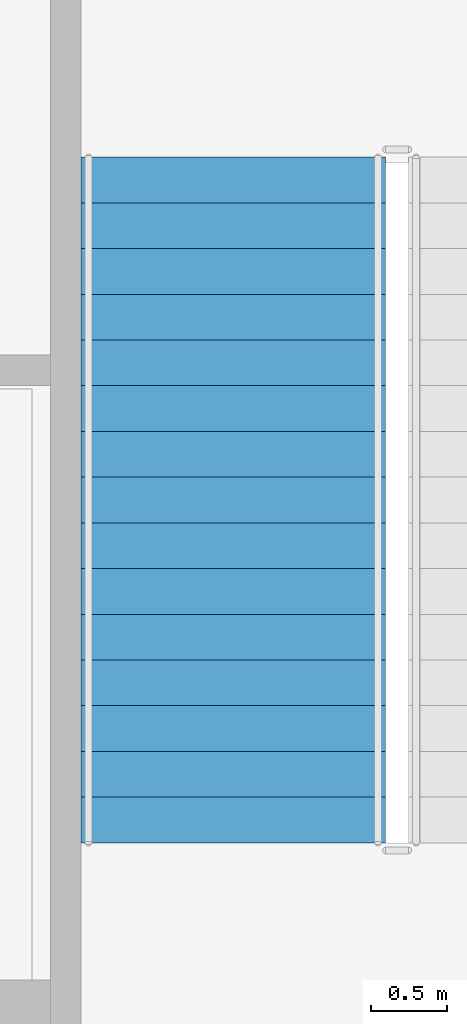
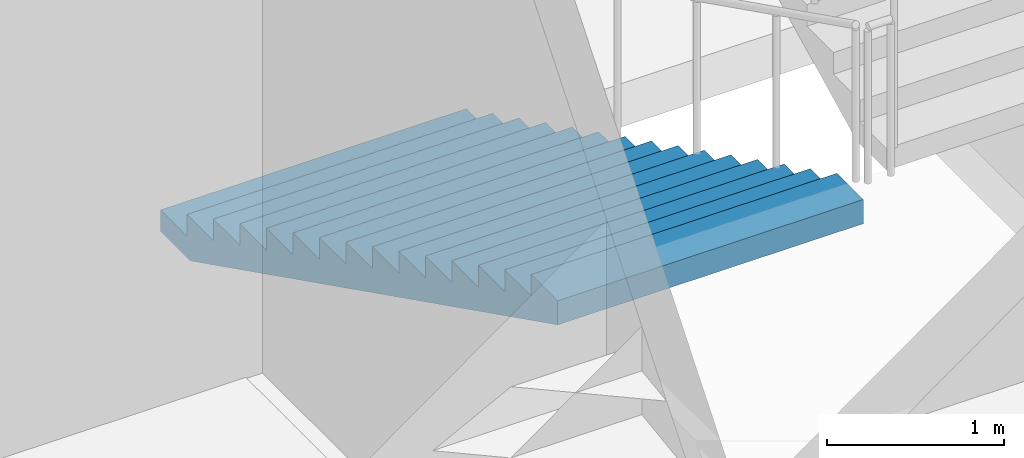
# One storey, part 62 of 86: 1 stair flight, 1 element without a shape of its own.
"""IFC4 building model written with IfcOpenShell, lengths in metres."""

from ifc_helpers import new_model, si_unit, direction, frame, origin, place, context, subcontext, project, spatial, faceted_brep, material, type_object, element, aggregate, save


model = new_model("IFC4")

# Units and contexts
model_context = context("Model", 3, precision=1e-05, world=origin(), true_north=direction((0.0, 1.0)))
body_context = subcontext(model_context, "Body", "Model", "MODEL_VIEW")
ifc_project = project(units=[si_unit("LENGTHUNIT", "METRE"), si_unit("AREAUNIT", "SQUARE_METRE"), si_unit("VOLUMEUNIT", "CUBIC_METRE"), si_unit("PLANEANGLEUNIT", "RADIAN"), si_unit("MASSUNIT", "GRAM", prefix="KILO")], contexts=[model_context])

# Site, building, storey
site_placement = place(None, origin())
site = spatial("IfcSite", under=ifc_project, at=site_placement, CompositionType="ELEMENT")
building_placement = place(site_placement, origin())
building = spatial("IfcBuilding", under=site, at=building_placement, Name="Kiln Court Media Centre", CompositionType="ELEMENT")
storey_placement = place(building_placement, frame((0.0, 0.0, 10.199951171875)))
storey = spatial("IfcBuildingStorey", under=building, at=storey_placement, Name="L02", CompositionType="ELEMENT", Elevation=10.199951171875)

# Stair, stair flight
ifc_material_1 = material(Name="Concrete C40/50", Category="concrete")
stair_type = type_object("IfcStairType", Name="Concrete C40/50 dog-leg stair 2000 wide, 150 riser", PredefinedType="HALF_TURN_STAIR", material=ifc_material_1)
stair_placement = place(storey_placement, origin())
stair = element("IfcStair", 1, at=stair_placement, inside=storey, type_object=stair_type, Name="ST-08 L02", PredefinedType="HALF_TURN_STAIR")
ifc_material_2 = material(Name="Concrete C40/50", Category="concrete")
stair_flight_type = type_object("IfcStairFlightType", Name="Concrete C40/50 stair flight 2000 wide, 150 riser, 300 going", PredefinedType="STRAIGHT", material=ifc_material_2)
stair_flight_placement = place(storey_placement, frame((30.0, 64.39990234375, 0.0), z_axis=(0.0, 0.0, 1.0), x_axis=(0.0, -1.0, 0.0)))
stair_flight = element("IfcStairFlight", 2, at=stair_flight_placement, type_object=stair_flight_type, Name="L02-ST-5007 flight 5014", NumberOfRisers=16, NumberOfTreads=15, PredefinedType="STRAIGHT", RiserHeight=0.15, TreadLength=0.3, context=body_context, shape_type="Brep", body=[
    faceted_brep([(0.335205078125, -1.0, 0.0), (4.5, -1.0, 2.08251953125), (4.5, -1.0, 2.25), (4.199951171875, -1.0, 2.25), (4.199951171875, -1.0, 2.10009765625), (3.89990234375, -1.0, 2.10009765625), (3.89990234375, -1.0, 1.949951171875), (3.60009765625, -1.0, 1.949951171875), (3.60009765625, -1.0, 1.800048828125), (3.300048828125, -1.0, 1.800048828125), (3.300048828125, -1.0, 1.64990234375), (3.0, -1.0, 1.64990234375), (3.0, -1.0, 1.5), (2.699951171875, -1.0, 1.5), (2.699951171875, -1.0, 1.35009765625), (2.39990234375, -1.0, 1.35009765625), (2.39990234375, -1.0, 1.199951171875), (2.10009765625, -1.0, 1.199951171875), (2.10009765625, -1.0, 1.050048828125), (1.800048828125, -1.0, 1.050048828125), (1.800048828125, -1.0, 0.89990234375), (1.5, -1.0, 0.89990234375), (1.5, -1.0, 0.75), (1.199951171875, -1.0, 0.75), (1.199951171875, -1.0, 0.60009765625), (0.89990234375, -1.0, 0.60009765625), (0.89990234375, -1.0, 0.449951171875), (0.60009765625, -1.0, 0.449951171875), (0.60009765625, -1.0, 0.300048828125), (0.300048828125, -1.0, 0.300048828125), (0.300048828125, -1.0, 0.14990234375), (0.0, -1.0, 0.14990234375), (0.0, -1.0, 0.0), (0.0, 1.0, 0.0), (0.0, 1.0, 0.14990234375), (0.300048828125, 1.0, 0.14990234375), (0.300048828125, 1.0, 0.300048828125), (0.60009765625, 1.0, 0.300048828125), (0.60009765625, 1.0, 0.449951171875), (0.89990234375, 1.0, 0.449951171875), (0.89990234375, 1.0, 0.60009765625), (1.199951171875, 1.0, 0.60009765625), (1.199951171875, 1.0, 0.75), (1.5, 1.0, 0.75), (1.5, 1.0, 0.89990234375), (1.800048828125, 1.0, 0.89990234375), (1.800048828125, 1.0, 1.050048828125), (2.10009765625, 1.0, 1.050048828125), (2.10009765625, 1.0, 1.199951171875), (2.39990234375, 1.0, 1.199951171875), (2.39990234375, 1.0, 1.35009765625), (2.699951171875, 1.0, 1.35009765625), (2.699951171875, 1.0, 1.5), (3.0, 1.0, 1.5), (3.0, 1.0, 1.64990234375), (3.300048828125, 1.0, 1.64990234375), (3.300048828125, 1.0, 1.800048828125), (3.60009765625, 1.0, 1.800048828125), (3.60009765625, 1.0, 1.949951171875), (3.89990234375, 1.0, 1.949951171875), (3.89990234375, 1.0, 2.10009765625), (4.199951171875, 1.0, 2.10009765625), (4.199951171875, 1.0, 2.25), (4.5, 1.0, 2.25), (4.5, 1.0, 2.08251953125), (0.335205078125, 1.0, 0.0), (4.5, 0.10009765625, 2.08251953125), (0.335205078125, 0.10009765625, 0.0), (4.5, 0.080078125, 2.08251953125), (0.335205078125, 0.080078125, 0.0), (4.5, 0.06005859375, 2.08251953125), (0.335205078125, 0.06005859375, 0.0), (4.5, 0.0400390625, 2.08251953125), (0.335205078125, 0.0400390625, 0.0), (4.5, 0.02001953125, 2.08251953125), (0.335205078125, 0.02001953125, 0.0), (4.5, 0.0, 2.08251953125), (0.335205078125, 0.0, 0.0), (4.5, -0.02001953125, 2.08251953125), (0.335205078125, -0.02001953125, 0.0), (4.5, -0.0400390625, 2.08251953125), (0.335205078125, -0.0400390625, 0.0), (4.5, -0.06005859375, 2.08251953125), (0.335205078125, -0.06005859375, 0.0), (4.5, -0.080078125, 2.08251953125), (0.335205078125, -0.080078125, 0.0), (4.5, -0.10009765625, 2.08251953125), (0.335205078125, -0.10009765625, 0.0), (4.5, 0.10009765625, 2.25), (4.5, 0.080078125, 2.25), (4.5, 0.06005859375, 2.25), (4.5, 0.0400390625, 2.25), (4.5, 0.02001953125, 2.25), (4.5, 0.0, 2.25), (4.5, -0.02001953125, 2.25), (4.5, -0.0400390625, 2.25), (4.5, -0.06005859375, 2.25), (4.5, -0.080078125, 2.25), (4.5, -0.10009765625, 2.25), (4.199951171875, 0.10009765625, 2.25), (4.199951171875, 0.080078125, 2.25), (4.199951171875, 0.06005859375, 2.25), (4.199951171875, 0.0400390625, 2.25), (4.199951171875, 0.02001953125, 2.25), (4.199951171875, 0.0, 2.25), (4.199951171875, -0.02001953125, 2.25), (4.199951171875, -0.0400390625, 2.25), (4.199951171875, -0.06005859375, 2.25), (4.199951171875, -0.080078125, 2.25), (4.199951171875, -0.10009765625, 2.25), (4.199951171875, 0.10009765625, 2.10009765625), (4.199951171875, 0.080078125, 2.10009765625), (4.199951171875, 0.06005859375, 2.10009765625), (4.199951171875, 0.0400390625, 2.10009765625), (4.199951171875, 0.02001953125, 2.10009765625), (4.199951171875, 0.0, 2.10009765625), (4.199951171875, -0.02001953125, 2.10009765625), (4.199951171875, -0.0400390625, 2.10009765625), (4.199951171875, -0.06005859375, 2.10009765625), (4.199951171875, -0.080078125, 2.10009765625), (4.199951171875, -0.10009765625, 2.10009765625), (3.89990234375, 0.10009765625, 2.10009765625), (3.89990234375, 0.080078125, 2.10009765625), (3.89990234375, 0.06005859375, 2.10009765625), (3.89990234375, 0.0400390625, 2.10009765625), (3.89990234375, 0.02001953125, 2.10009765625), (3.89990234375, 0.0, 2.10009765625), (3.89990234375, -0.02001953125, 2.10009765625), (3.89990234375, -0.0400390625, 2.10009765625), (3.89990234375, -0.06005859375, 2.10009765625), (3.89990234375, -0.080078125, 2.10009765625), (3.89990234375, -0.10009765625, 2.10009765625), (3.89990234375, 0.10009765625, 1.949951171875), (3.89990234375, 0.080078125, 1.949951171875), (3.89990234375, 0.06005859375, 1.949951171875), (3.89990234375, 0.0400390625, 1.949951171875), (3.89990234375, 0.02001953125, 1.949951171875), (3.89990234375, 0.0, 1.949951171875), (3.89990234375, -0.02001953125, 1.949951171875), (3.89990234375, -0.0400390625, 1.949951171875), (3.89990234375, -0.06005859375, 1.949951171875), (3.89990234375, -0.080078125, 1.949951171875), (3.89990234375, -0.10009765625, 1.949951171875), (3.60009765625, 0.10009765625, 1.949951171875), (3.60009765625, 0.080078125, 1.949951171875), (3.60009765625, 0.06005859375, 1.949951171875), (3.60009765625, 0.0400390625, 1.949951171875), (3.60009765625, 0.02001953125, 1.949951171875), (3.60009765625, 0.0, 1.949951171875), (3.60009765625, -0.02001953125, 1.949951171875), (3.60009765625, -0.0400390625, 1.949951171875), (3.60009765625, -0.06005859375, 1.949951171875), (3.60009765625, -0.080078125, 1.949951171875), (3.60009765625, -0.10009765625, 1.949951171875), (3.60009765625, 0.10009765625, 1.800048828125), (3.60009765625, 0.080078125, 1.800048828125), (3.60009765625, 0.06005859375, 1.800048828125), (3.60009765625, 0.0400390625, 1.800048828125), (3.60009765625, 0.02001953125, 1.800048828125), (3.60009765625, 0.0, 1.800048828125), (3.60009765625, -0.02001953125, 1.800048828125), (3.60009765625, -0.0400390625, 1.800048828125), (3.60009765625, -0.06005859375, 1.800048828125), (3.60009765625, -0.080078125, 1.800048828125), (3.60009765625, -0.10009765625, 1.800048828125), (3.300048828125, 0.10009765625, 1.800048828125), (3.300048828125, 0.080078125, 1.800048828125), (3.300048828125, 0.06005859375, 1.800048828125), (3.300048828125, 0.0400390625, 1.800048828125), (3.300048828125, 0.02001953125, 1.800048828125), (3.300048828125, 0.0, 1.800048828125), (3.300048828125, -0.02001953125, 1.800048828125), (3.300048828125, -0.0400390625, 1.800048828125), (3.300048828125, -0.06005859375, 1.800048828125), (3.300048828125, -0.080078125, 1.800048828125), (3.300048828125, -0.10009765625, 1.800048828125), (3.300048828125, 0.10009765625, 1.64990234375), (3.300048828125, 0.080078125, 1.64990234375), (3.300048828125, 0.06005859375, 1.64990234375), (3.300048828125, 0.0400390625, 1.64990234375), (3.300048828125, 0.02001953125, 1.64990234375), (3.300048828125, 0.0, 1.64990234375), (3.300048828125, -0.02001953125, 1.64990234375), (3.300048828125, -0.0400390625, 1.64990234375), (3.300048828125, -0.06005859375, 1.64990234375), (3.300048828125, -0.080078125, 1.64990234375), (3.300048828125, -0.10009765625, 1.64990234375), (3.0, 0.10009765625, 1.64990234375), (3.0, 0.080078125, 1.64990234375), (3.0, 0.06005859375, 1.64990234375), (3.0, 0.0400390625, 1.64990234375), (3.0, 0.02001953125, 1.64990234375), (3.0, 0.0, 1.64990234375), (3.0, -0.02001953125, 1.64990234375), (3.0, -0.0400390625, 1.64990234375), (3.0, -0.06005859375, 1.64990234375), (3.0, -0.080078125, 1.64990234375), (3.0, -0.10009765625, 1.64990234375), (3.0, 0.10009765625, 1.5), (3.0, 0.080078125, 1.5), (3.0, 0.06005859375, 1.5), (3.0, 0.0400390625, 1.5), (3.0, 0.02001953125, 1.5), (3.0, 0.0, 1.5), (3.0, -0.02001953125, 1.5), (3.0, -0.0400390625, 1.5), (3.0, -0.06005859375, 1.5), (3.0, -0.080078125, 1.5), (3.0, -0.10009765625, 1.5), (2.699951171875, 0.10009765625, 1.5), (2.699951171875, 0.080078125, 1.5), (2.699951171875, 0.06005859375, 1.5), (2.699951171875, 0.0400390625, 1.5), (2.699951171875, 0.02001953125, 1.5), (2.699951171875, 0.0, 1.5), (2.699951171875, -0.02001953125, 1.5), (2.699951171875, -0.0400390625, 1.5), (2.699951171875, -0.06005859375, 1.5), (2.699951171875, -0.080078125, 1.5), (2.699951171875, -0.10009765625, 1.5), (2.699951171875, 0.10009765625, 1.35009765625), (2.699951171875, 0.080078125, 1.35009765625), (2.699951171875, 0.06005859375, 1.35009765625), (2.699951171875, 0.0400390625, 1.35009765625), (2.699951171875, 0.02001953125, 1.35009765625), (2.699951171875, 0.0, 1.35009765625), (2.699951171875, -0.02001953125, 1.35009765625), (2.699951171875, -0.0400390625, 1.35009765625), (2.699951171875, -0.06005859375, 1.35009765625), (2.699951171875, -0.080078125, 1.35009765625), (2.699951171875, -0.10009765625, 1.35009765625), (2.39990234375, 0.10009765625, 1.35009765625), (2.39990234375, 0.080078125, 1.35009765625), (2.39990234375, 0.06005859375, 1.35009765625), (2.39990234375, 0.0400390625, 1.35009765625), (2.39990234375, 0.02001953125, 1.35009765625), (2.39990234375, 0.0, 1.35009765625), (2.39990234375, -0.02001953125, 1.35009765625), (2.39990234375, -0.0400390625, 1.35009765625), (2.39990234375, -0.06005859375, 1.35009765625), (2.39990234375, -0.080078125, 1.35009765625), (2.39990234375, -0.10009765625, 1.35009765625), (2.39990234375, 0.10009765625, 1.199951171875), (2.39990234375, 0.080078125, 1.199951171875), (2.39990234375, 0.06005859375, 1.199951171875), (2.39990234375, 0.0400390625, 1.199951171875), (2.39990234375, 0.02001953125, 1.199951171875), (2.39990234375, 0.0, 1.199951171875), (2.39990234375, -0.02001953125, 1.199951171875), (2.39990234375, -0.0400390625, 1.199951171875), (2.39990234375, -0.06005859375, 1.199951171875), (2.39990234375, -0.080078125, 1.199951171875), (2.39990234375, -0.10009765625, 1.199951171875), (2.10009765625, 0.10009765625, 1.199951171875), (2.10009765625, 0.080078125, 1.199951171875), (2.10009765625, 0.06005859375, 1.199951171875), (2.10009765625, 0.0400390625, 1.199951171875), (2.10009765625, 0.02001953125, 1.199951171875), (2.10009765625, 0.0, 1.199951171875), (2.10009765625, -0.02001953125, 1.199951171875), (2.10009765625, -0.0400390625, 1.199951171875), (2.10009765625, -0.06005859375, 1.199951171875), (2.10009765625, -0.080078125, 1.199951171875), (2.10009765625, -0.10009765625, 1.199951171875), (2.10009765625, 0.10009765625, 1.050048828125), (2.10009765625, 0.080078125, 1.050048828125), (2.10009765625, 0.06005859375, 1.050048828125), (2.10009765625, 0.0400390625, 1.050048828125), (2.10009765625, 0.02001953125, 1.050048828125), (2.10009765625, 0.0, 1.050048828125), (2.10009765625, -0.02001953125, 1.050048828125), (2.10009765625, -0.0400390625, 1.050048828125), (2.10009765625, -0.06005859375, 1.050048828125), (2.10009765625, -0.080078125, 1.050048828125), (2.10009765625, -0.10009765625, 1.050048828125), (1.800048828125, 0.10009765625, 1.050048828125), (1.800048828125, 0.080078125, 1.050048828125), (1.800048828125, 0.06005859375, 1.050048828125), (1.800048828125, 0.0400390625, 1.050048828125), (1.800048828125, 0.02001953125, 1.050048828125), (1.800048828125, 0.0, 1.050048828125), (1.800048828125, -0.02001953125, 1.050048828125), (1.800048828125, -0.0400390625, 1.050048828125), (1.800048828125, -0.06005859375, 1.050048828125), (1.800048828125, -0.080078125, 1.050048828125), (1.800048828125, -0.10009765625, 1.050048828125), (1.800048828125, 0.10009765625, 0.89990234375), (1.800048828125, 0.080078125, 0.89990234375), (1.800048828125, 0.06005859375, 0.89990234375), (1.800048828125, 0.0400390625, 0.89990234375), (1.800048828125, 0.02001953125, 0.89990234375), (1.800048828125, 0.0, 0.89990234375), (1.800048828125, -0.02001953125, 0.89990234375), (1.800048828125, -0.0400390625, 0.89990234375), (1.800048828125, -0.06005859375, 0.89990234375), (1.800048828125, -0.080078125, 0.89990234375), (1.800048828125, -0.10009765625, 0.89990234375), (1.5, 0.10009765625, 0.89990234375), (1.5, 0.080078125, 0.89990234375), (1.5, 0.06005859375, 0.89990234375), (1.5, 0.0400390625, 0.89990234375), (1.5, 0.02001953125, 0.89990234375), (1.5, 0.0, 0.89990234375), (1.5, -0.02001953125, 0.89990234375), (1.5, -0.0400390625, 0.89990234375), (1.5, -0.06005859375, 0.89990234375), (1.5, -0.080078125, 0.89990234375), (1.5, -0.10009765625, 0.89990234375), (1.5, 0.10009765625, 0.75), (1.5, 0.080078125, 0.75), (1.5, 0.06005859375, 0.75), (1.5, 0.0400390625, 0.75), (1.5, 0.02001953125, 0.75), (1.5, 0.0, 0.75), (1.5, -0.02001953125, 0.75), (1.5, -0.0400390625, 0.75), (1.5, -0.06005859375, 0.75), (1.5, -0.080078125, 0.75), (1.5, -0.10009765625, 0.75), (1.199951171875, 0.10009765625, 0.75), (1.199951171875, 0.080078125, 0.75), (1.199951171875, 0.06005859375, 0.75), (1.199951171875, 0.0400390625, 0.75), (1.199951171875, 0.02001953125, 0.75), (1.199951171875, 0.0, 0.75), (1.199951171875, -0.02001953125, 0.75), (1.199951171875, -0.0400390625, 0.75), (1.199951171875, -0.06005859375, 0.75), (1.199951171875, -0.080078125, 0.75), (1.199951171875, -0.10009765625, 0.75), (1.199951171875, 0.10009765625, 0.60009765625), (1.199951171875, 0.080078125, 0.60009765625), (1.199951171875, 0.06005859375, 0.60009765625), (1.199951171875, 0.0400390625, 0.60009765625), (1.199951171875, 0.02001953125, 0.60009765625), (1.199951171875, 0.0, 0.60009765625), (1.199951171875, -0.02001953125, 0.60009765625), (1.199951171875, -0.0400390625, 0.60009765625), (1.199951171875, -0.06005859375, 0.60009765625), (1.199951171875, -0.080078125, 0.60009765625), (1.199951171875, -0.10009765625, 0.60009765625), (0.89990234375, 0.10009765625, 0.60009765625), (0.89990234375, 0.080078125, 0.60009765625), (0.89990234375, 0.06005859375, 0.60009765625), (0.89990234375, 0.0400390625, 0.60009765625), (0.89990234375, 0.02001953125, 0.60009765625), (0.89990234375, 0.0, 0.60009765625), (0.89990234375, -0.02001953125, 0.60009765625), (0.89990234375, -0.0400390625, 0.60009765625), (0.89990234375, -0.06005859375, 0.60009765625), (0.89990234375, -0.080078125, 0.60009765625), (0.89990234375, -0.10009765625, 0.60009765625), (0.89990234375, 0.10009765625, 0.449951171875), (0.89990234375, 0.080078125, 0.449951171875), (0.89990234375, 0.06005859375, 0.449951171875), (0.89990234375, 0.0400390625, 0.449951171875), (0.89990234375, 0.02001953125, 0.449951171875), (0.89990234375, 0.0, 0.449951171875), (0.89990234375, -0.02001953125, 0.449951171875), (0.89990234375, -0.0400390625, 0.449951171875), (0.89990234375, -0.06005859375, 0.449951171875), (0.89990234375, -0.080078125, 0.449951171875), (0.89990234375, -0.10009765625, 0.449951171875), (0.60009765625, 0.10009765625, 0.449951171875), (0.60009765625, 0.080078125, 0.449951171875), (0.60009765625, 0.06005859375, 0.449951171875), (0.60009765625, 0.0400390625, 0.449951171875), (0.60009765625, 0.02001953125, 0.449951171875), (0.60009765625, 0.0, 0.449951171875), (0.60009765625, -0.02001953125, 0.449951171875), (0.60009765625, -0.0400390625, 0.449951171875), (0.60009765625, -0.06005859375, 0.449951171875), (0.60009765625, -0.080078125, 0.449951171875), (0.60009765625, -0.10009765625, 0.449951171875), (0.60009765625, 0.10009765625, 0.300048828125), (0.60009765625, 0.080078125, 0.300048828125), (0.60009765625, 0.06005859375, 0.300048828125), (0.60009765625, 0.0400390625, 0.300048828125), (0.60009765625, 0.02001953125, 0.300048828125), (0.60009765625, 0.0, 0.300048828125), (0.60009765625, -0.02001953125, 0.300048828125), (0.60009765625, -0.0400390625, 0.300048828125), (0.60009765625, -0.06005859375, 0.300048828125), (0.60009765625, -0.080078125, 0.300048828125), (0.60009765625, -0.10009765625, 0.300048828125), (0.300048828125, 0.10009765625, 0.300048828125), (0.300048828125, 0.080078125, 0.300048828125), (0.300048828125, 0.06005859375, 0.300048828125), (0.300048828125, 0.0400390625, 0.300048828125), (0.300048828125, 0.02001953125, 0.300048828125), (0.300048828125, 0.0, 0.300048828125), (0.300048828125, -0.02001953125, 0.300048828125), (0.300048828125, -0.0400390625, 0.300048828125), (0.300048828125, -0.06005859375, 0.300048828125), (0.300048828125, -0.080078125, 0.300048828125), (0.300048828125, -0.10009765625, 0.300048828125), (0.300048828125, 0.10009765625, 0.14990234375), (0.300048828125, 0.080078125, 0.14990234375), (0.300048828125, 0.06005859375, 0.14990234375), (0.300048828125, 0.0400390625, 0.14990234375), (0.300048828125, 0.02001953125, 0.14990234375), (0.300048828125, 0.0, 0.14990234375), (0.300048828125, -0.02001953125, 0.14990234375), (0.300048828125, -0.0400390625, 0.14990234375), (0.300048828125, -0.06005859375, 0.14990234375), (0.300048828125, -0.080078125, 0.14990234375), (0.300048828125, -0.10009765625, 0.14990234375), (0.0, 0.10009765625, 0.14990234375), (0.0, 0.080078125, 0.14990234375), (0.0, 0.06005859375, 0.14990234375), (0.0, 0.0400390625, 0.14990234375), (0.0, 0.02001953125, 0.14990234375), (0.0, 0.0, 0.14990234375), (0.0, -0.02001953125, 0.14990234375), (0.0, -0.0400390625, 0.14990234375), (0.0, -0.06005859375, 0.14990234375), (0.0, -0.080078125, 0.14990234375), (0.0, -0.10009765625, 0.14990234375), (0.0, 0.10009765625, 0.0), (0.0, 0.080078125, 0.0), (0.0, 0.06005859375, 0.0), (0.0, 0.0400390625, 0.0), (0.0, 0.02001953125, 0.0), (0.0, 0.0, 0.0), (0.0, -0.02001953125, 0.0), (0.0, -0.0400390625, 0.0), (0.0, -0.06005859375, 0.0), (0.0, -0.080078125, 0.0), (0.0, -0.10009765625, 0.0)], [[[0, 1, 2, 3, 4, 5, 6, 7, 8, 9, 10, 11, 12, 13, 14, 15, 16, 17, 18, 19, 20, 21, 22, 23, 24, 25, 26, 27, 28, 29, 30, 31, 32]], [[33, 34, 35, 36, 37, 38, 39, 40, 41, 42, 43, 44, 45, 46, 47, 48, 49, 50, 51, 52, 53, 54, 55, 56, 57, 58, 59, 60, 61, 62, 63, 64, 65]], [[65, 64, 66, 67]], [[67, 66, 68, 69]], [[69, 68, 70, 71]], [[71, 70, 72, 73]], [[73, 72, 74, 75]], [[75, 74, 76, 77]], [[77, 76, 78, 79]], [[79, 78, 80, 81]], [[81, 80, 82, 83]], [[83, 82, 84, 85]], [[85, 84, 86, 87]], [[87, 86, 1, 0]], [[64, 63, 88, 66]], [[66, 88, 89, 68]], [[68, 89, 90, 70]], [[70, 90, 91, 72]], [[72, 91, 92, 74]], [[74, 92, 93, 76]], [[76, 93, 94, 78]], [[78, 94, 95, 80]], [[80, 95, 96, 82]], [[82, 96, 97, 84]], [[84, 97, 98, 86]], [[86, 98, 2, 1]], [[63, 62, 99, 88]], [[88, 99, 100, 89]], [[89, 100, 101, 90]], [[90, 101, 102, 91]], [[91, 102, 103, 92]], [[92, 103, 104, 93]], [[93, 104, 105, 94]], [[94, 105, 106, 95]], [[95, 106, 107, 96]], [[96, 107, 108, 97]], [[97, 108, 109, 98]], [[98, 109, 3, 2]], [[62, 61, 110, 99]], [[99, 110, 111, 100]], [[100, 111, 112, 101]], [[101, 112, 113, 102]], [[102, 113, 114, 103]], [[103, 114, 115, 104]], [[104, 115, 116, 105]], [[105, 116, 117, 106]], [[106, 117, 118, 107]], [[107, 118, 119, 108]], [[108, 119, 120, 109]], [[109, 120, 4, 3]], [[61, 60, 121, 110]], [[110, 121, 122, 111]], [[111, 122, 123, 112]], [[112, 123, 124, 113]], [[113, 124, 125, 114]], [[114, 125, 126, 115]], [[115, 126, 127, 116]], [[116, 127, 128, 117]], [[117, 128, 129, 118]], [[118, 129, 130, 119]], [[119, 130, 131, 120]], [[120, 131, 5, 4]], [[60, 59, 132, 121]], [[121, 132, 133, 122]], [[122, 133, 134, 123]], [[123, 134, 135, 124]], [[124, 135, 136, 125]], [[125, 136, 137, 126]], [[126, 137, 138, 127]], [[127, 138, 139, 128]], [[128, 139, 140, 129]], [[129, 140, 141, 130]], [[130, 141, 142, 131]], [[131, 142, 6, 5]], [[59, 58, 143, 132]], [[132, 143, 144, 133]], [[133, 144, 145, 134]], [[134, 145, 146, 135]], [[135, 146, 147, 136]], [[136, 147, 148, 137]], [[137, 148, 149, 138]], [[138, 149, 150, 139]], [[139, 150, 151, 140]], [[140, 151, 152, 141]], [[141, 152, 153, 142]], [[142, 153, 7, 6]], [[58, 57, 154, 143]], [[143, 154, 155, 144]], [[144, 155, 156, 145]], [[145, 156, 157, 146]], [[146, 157, 158, 147]], [[147, 158, 159, 148]], [[148, 159, 160, 149]], [[149, 160, 161, 150]], [[150, 161, 162, 151]], [[151, 162, 163, 152]], [[152, 163, 164, 153]], [[153, 164, 8, 7]], [[57, 56, 165, 154]], [[154, 165, 166, 155]], [[155, 166, 167, 156]], [[156, 167, 168, 157]], [[157, 168, 169, 158]], [[158, 169, 170, 159]], [[159, 170, 171, 160]], [[160, 171, 172, 161]], [[161, 172, 173, 162]], [[162, 173, 174, 163]], [[163, 174, 175, 164]], [[164, 175, 9, 8]], [[56, 55, 176, 165]], [[165, 176, 177, 166]], [[166, 177, 178, 167]], [[167, 178, 179, 168]], [[168, 179, 180, 169]], [[169, 180, 181, 170]], [[170, 181, 182, 171]], [[171, 182, 183, 172]], [[172, 183, 184, 173]], [[173, 184, 185, 174]], [[174, 185, 186, 175]], [[175, 186, 10, 9]], [[55, 54, 187, 176]], [[176, 187, 188, 177]], [[177, 188, 189, 178]], [[178, 189, 190, 179]], [[179, 190, 191, 180]], [[180, 191, 192, 181]], [[181, 192, 193, 182]], [[182, 193, 194, 183]], [[183, 194, 195, 184]], [[184, 195, 196, 185]], [[185, 196, 197, 186]], [[186, 197, 11, 10]], [[54, 53, 198, 187]], [[187, 198, 199, 188]], [[188, 199, 200, 189]], [[189, 200, 201, 190]], [[190, 201, 202, 191]], [[191, 202, 203, 192]], [[192, 203, 204, 193]], [[193, 204, 205, 194]], [[194, 205, 206, 195]], [[195, 206, 207, 196]], [[196, 207, 208, 197]], [[197, 208, 12, 11]], [[53, 52, 209, 198]], [[198, 209, 210, 199]], [[199, 210, 211, 200]], [[200, 211, 212, 201]], [[201, 212, 213, 202]], [[202, 213, 214, 203]], [[203, 214, 215, 204]], [[204, 215, 216, 205]], [[205, 216, 217, 206]], [[206, 217, 218, 207]], [[207, 218, 219, 208]], [[208, 219, 13, 12]], [[52, 51, 220, 209]], [[209, 220, 221, 210]], [[210, 221, 222, 211]], [[211, 222, 223, 212]], [[212, 223, 224, 213]], [[213, 224, 225, 214]], [[214, 225, 226, 215]], [[215, 226, 227, 216]], [[216, 227, 228, 217]], [[217, 228, 229, 218]], [[218, 229, 230, 219]], [[219, 230, 14, 13]], [[51, 50, 231, 220]], [[220, 231, 232, 221]], [[221, 232, 233, 222]], [[222, 233, 234, 223]], [[223, 234, 235, 224]], [[224, 235, 236, 225]], [[225, 236, 237, 226]], [[226, 237, 238, 227]], [[227, 238, 239, 228]], [[228, 239, 240, 229]], [[229, 240, 241, 230]], [[230, 241, 15, 14]], [[50, 49, 242, 231]], [[231, 242, 243, 232]], [[232, 243, 244, 233]], [[233, 244, 245, 234]], [[234, 245, 246, 235]], [[235, 246, 247, 236]], [[236, 247, 248, 237]], [[237, 248, 249, 238]], [[238, 249, 250, 239]], [[239, 250, 251, 240]], [[240, 251, 252, 241]], [[241, 252, 16, 15]], [[49, 48, 253, 242]], [[242, 253, 254, 243]], [[243, 254, 255, 244]], [[244, 255, 256, 245]], [[245, 256, 257, 246]], [[246, 257, 258, 247]], [[247, 258, 259, 248]], [[248, 259, 260, 249]], [[249, 260, 261, 250]], [[250, 261, 262, 251]], [[251, 262, 263, 252]], [[252, 263, 17, 16]], [[48, 47, 264, 253]], [[253, 264, 265, 254]], [[254, 265, 266, 255]], [[255, 266, 267, 256]], [[256, 267, 268, 257]], [[257, 268, 269, 258]], [[258, 269, 270, 259]], [[259, 270, 271, 260]], [[260, 271, 272, 261]], [[261, 272, 273, 262]], [[262, 273, 274, 263]], [[263, 274, 18, 17]], [[47, 46, 275, 264]], [[264, 275, 276, 265]], [[265, 276, 277, 266]], [[266, 277, 278, 267]], [[267, 278, 279, 268]], [[268, 279, 280, 269]], [[269, 280, 281, 270]], [[270, 281, 282, 271]], [[271, 282, 283, 272]], [[272, 283, 284, 273]], [[273, 284, 285, 274]], [[274, 285, 19, 18]], [[46, 45, 286, 275]], [[275, 286, 287, 276]], [[276, 287, 288, 277]], [[277, 288, 289, 278]], [[278, 289, 290, 279]], [[279, 290, 291, 280]], [[280, 291, 292, 281]], [[281, 292, 293, 282]], [[282, 293, 294, 283]], [[283, 294, 295, 284]], [[284, 295, 296, 285]], [[285, 296, 20, 19]], [[45, 44, 297, 286]], [[286, 297, 298, 287]], [[287, 298, 299, 288]], [[288, 299, 300, 289]], [[289, 300, 301, 290]], [[290, 301, 302, 291]], [[291, 302, 303, 292]], [[292, 303, 304, 293]], [[293, 304, 305, 294]], [[294, 305, 306, 295]], [[295, 306, 307, 296]], [[296, 307, 21, 20]], [[44, 43, 308, 297]], [[297, 308, 309, 298]], [[298, 309, 310, 299]], [[299, 310, 311, 300]], [[300, 311, 312, 301]], [[301, 312, 313, 302]], [[302, 313, 314, 303]], [[303, 314, 315, 304]], [[304, 315, 316, 305]], [[305, 316, 317, 306]], [[306, 317, 318, 307]], [[307, 318, 22, 21]], [[43, 42, 319, 308]], [[308, 319, 320, 309]], [[309, 320, 321, 310]], [[310, 321, 322, 311]], [[311, 322, 323, 312]], [[312, 323, 324, 313]], [[313, 324, 325, 314]], [[314, 325, 326, 315]], [[315, 326, 327, 316]], [[316, 327, 328, 317]], [[317, 328, 329, 318]], [[318, 329, 23, 22]], [[42, 41, 330, 319]], [[319, 330, 331, 320]], [[320, 331, 332, 321]], [[321, 332, 333, 322]], [[322, 333, 334, 323]], [[323, 334, 335, 324]], [[324, 335, 336, 325]], [[325, 336, 337, 326]], [[326, 337, 338, 327]], [[327, 338, 339, 328]], [[328, 339, 340, 329]], [[329, 340, 24, 23]], [[41, 40, 341, 330]], [[330, 341, 342, 331]], [[331, 342, 343, 332]], [[332, 343, 344, 333]], [[333, 344, 345, 334]], [[334, 345, 346, 335]], [[335, 346, 347, 336]], [[336, 347, 348, 337]], [[337, 348, 349, 338]], [[338, 349, 350, 339]], [[339, 350, 351, 340]], [[340, 351, 25, 24]], [[40, 39, 352, 341]], [[341, 352, 353, 342]], [[342, 353, 354, 343]], [[343, 354, 355, 344]], [[344, 355, 356, 345]], [[345, 356, 357, 346]], [[346, 357, 358, 347]], [[347, 358, 359, 348]], [[348, 359, 360, 349]], [[349, 360, 361, 350]], [[350, 361, 362, 351]], [[351, 362, 26, 25]], [[39, 38, 363, 352]], [[352, 363, 364, 353]], [[353, 364, 365, 354]], [[354, 365, 366, 355]], [[355, 366, 367, 356]], [[356, 367, 368, 357]], [[357, 368, 369, 358]], [[358, 369, 370, 359]], [[359, 370, 371, 360]], [[360, 371, 372, 361]], [[361, 372, 373, 362]], [[362, 373, 27, 26]], [[38, 37, 374, 363]], [[363, 374, 375, 364]], [[364, 375, 376, 365]], [[365, 376, 377, 366]], [[366, 377, 378, 367]], [[367, 378, 379, 368]], [[368, 379, 380, 369]], [[369, 380, 381, 370]], [[370, 381, 382, 371]], [[371, 382, 383, 372]], [[372, 383, 384, 373]], [[373, 384, 28, 27]], [[37, 36, 385, 374]], [[374, 385, 386, 375]], [[375, 386, 387, 376]], [[376, 387, 388, 377]], [[377, 388, 389, 378]], [[378, 389, 390, 379]], [[379, 390, 391, 380]], [[380, 391, 392, 381]], [[381, 392, 393, 382]], [[382, 393, 394, 383]], [[383, 394, 395, 384]], [[384, 395, 29, 28]], [[36, 35, 396, 385]], [[385, 396, 397, 386]], [[386, 397, 398, 387]], [[387, 398, 399, 388]], [[388, 399, 400, 389]], [[389, 400, 401, 390]], [[390, 401, 402, 391]], [[391, 402, 403, 392]], [[392, 403, 404, 393]], [[393, 404, 405, 394]], [[394, 405, 406, 395]], [[395, 406, 30, 29]], [[35, 34, 407, 396]], [[396, 407, 408, 397]], [[397, 408, 409, 398]], [[398, 409, 410, 399]], [[399, 410, 411, 400]], [[400, 411, 412, 401]], [[401, 412, 413, 402]], [[402, 413, 414, 403]], [[403, 414, 415, 404]], [[404, 415, 416, 405]], [[405, 416, 417, 406]], [[406, 417, 31, 30]], [[34, 33, 418, 407]], [[407, 418, 419, 408]], [[408, 419, 420, 409]], [[409, 420, 421, 410]], [[410, 421, 422, 411]], [[411, 422, 423, 412]], [[412, 423, 424, 413]], [[413, 424, 425, 414]], [[414, 425, 426, 415]], [[415, 426, 427, 416]], [[416, 427, 428, 417]], [[417, 428, 32, 31]], [[33, 65, 67, 418]], [[418, 67, 69, 419]], [[419, 69, 71, 420]], [[420, 71, 73, 421]], [[421, 73, 75, 422]], [[422, 75, 77, 423]], [[423, 77, 79, 424]], [[424, 79, 81, 425]], [[425, 81, 83, 426]], [[426, 83, 85, 427]], [[427, 85, 87, 428]], [[428, 87, 0, 32]]]),
])
aggregate(stair, [stair_flight])

save(model, "model.ifc")
